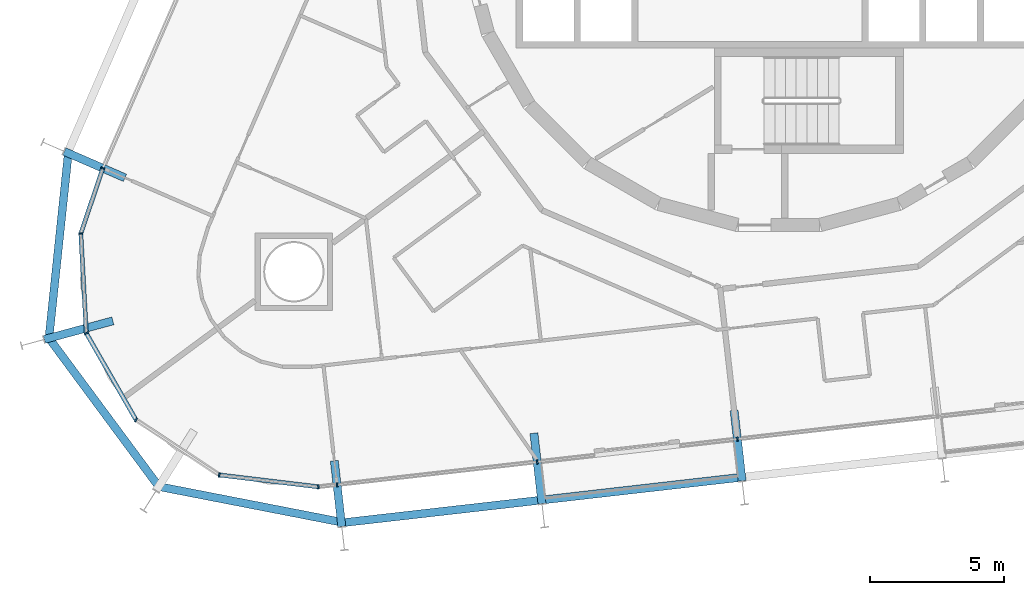
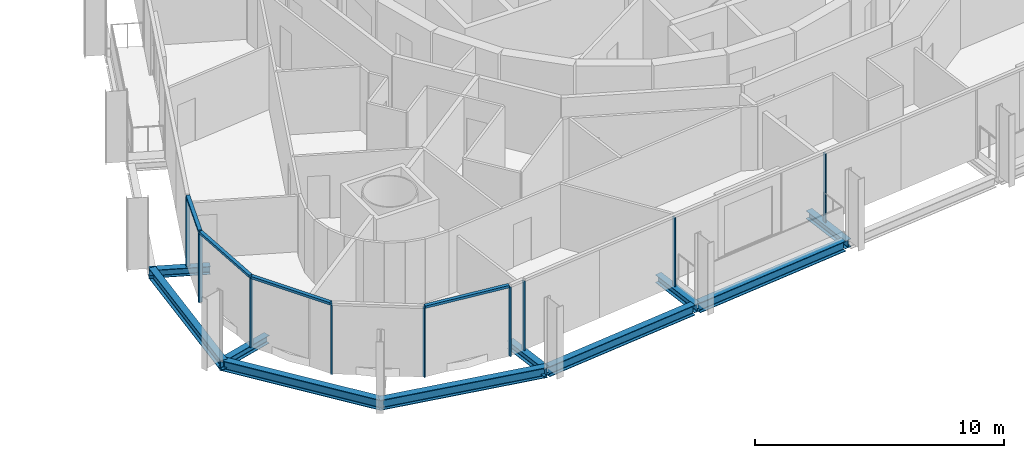
# One storey, part 3 of 21: 13 members, 10 beams, 2 elements without a shape of their own.
"""IFC4 building model written with IfcOpenShell, lengths in metres."""

from ifc_helpers import new_model, si_unit, direction, frame, origin, origin_2d, place, context, subcontext, project, spatial, rectangle, i_section, extrude, material, layer, layer_set, material_profile, profile_set, type_object, element, aggregate, save


model = new_model("IFC4")

# Units and contexts
model_context = context("Model", 3, precision=1e-05, world=origin(), true_north=direction((0.0, 1.0)))
body_context = subcontext(model_context, "Body", "Model", "MODEL_VIEW")
ifc_project = project(units=[si_unit("LENGTHUNIT", "METRE"), si_unit("AREAUNIT", "SQUARE_METRE"), si_unit("VOLUMEUNIT", "CUBIC_METRE"), si_unit("PLANEANGLEUNIT", "RADIAN"), si_unit("MASSUNIT", "GRAM", prefix="KILO")], contexts=[model_context])

# Site, building, storey
site_placement = place(None, origin())
site = spatial("IfcSite", under=ifc_project, at=site_placement, CompositionType="ELEMENT")
building_placement = place(site_placement, origin())
building = spatial("IfcBuilding", under=site, at=building_placement, Name="Spindle Arch Residences", CompositionType="ELEMENT")
storey_placement = place(building_placement, frame((0.0, 0.0, 97.699951171875)))
storey = spatial("IfcBuildingStorey", under=building, at=storey_placement, Name="L23", CompositionType="ELEMENT", Elevation=97.699951171875)

# Curtain wall, members
ifc_material_1 = material(Name="Aluminium bronze unitised frame with tinted glass", Category="aluminium")
ifc_layer_1 = layer(ifc_material_1, 0.159912109375)
ifc_layer_set_1 = layer_set([ifc_layer_1], Name="CW-D corner wall on the fillet arcs")
curtain_wall_type_1 = type_object("IfcCurtainWallType", Name="CW-D corner wall on the fillet arcs", PredefinedType="NOTDEFINED", material=ifc_layer_set_1)
curtain_wall_1_placement = place(storey_placement, origin())
curtain_wall_1 = element("IfcCurtainWall", 1, at=curtain_wall_1_placement, inside=storey, type_object=curtain_wall_type_1, Name="CW-D L23 run 5", PredefinedType="NOTDEFINED")
ifc_material_2 = material(Name="Aluminium bronze anodised mullion", Category="aluminium")
ifc_material_profile_1 = material_profile(ifc_material_2, rectangle(XDim=0.159912109375, YDim=0.06005859375, at=origin_2d()), Name="MU 60x160")
ifc_profile_set_1 = profile_set([ifc_material_profile_1], Name="Aluminium bronze anodised mullion")
member_type_1 = type_object("IfcMemberType", Name="Bronze mullion 60x160", PredefinedType="MULLION", material=ifc_profile_set_1)
member_1_placement = place(storey_placement, frame((-25.22900390625, -9.527099609375, -0.3798828125), z_axis=(0.0, 0.0, 1.0), x_axis=(0.947509671237, -0.319727106941, 0.0)))
member_1 = element("IfcMember", 2, at=member_1_placement, type_object=member_type_1, Name="CW-D mullion 00", PredefinedType="MULLION", context=body_context, shape_type="SweptSolid", body=[
    extrude(rectangle(XDim=0.159912109375, YDim=0.06005859375, at=origin_2d()), origin(), (0.0, 0.0, 1.0), 3.3798828125),
])
member_2_placement = place(storey_placement, frame((-26.052001953125, -11.96630859375, -0.3798828125), z_axis=(0.0, 0.0, 1.0), x_axis=(0.998473071057, 0.055240622495, 0.0)))
member_2 = element("IfcMember", 3, at=member_2_placement, type_object=member_type_1, Name="CW-D mullion 01", PredefinedType="MULLION", context=body_context, shape_type="SweptSolid", body=[
    extrude(rectangle(XDim=0.159912109375, YDim=0.06005859375, at=origin_2d()), origin(), (0.0, 0.0, 1.0), 3.3798828125),
])
member_3_placement = place(storey_placement, frame((-25.84619140625, -15.687255859375, -0.3798828125), z_axis=(0.0, 0.0, 1.0), x_axis=(0.867476179247, 0.497478721595, 0.0)))
member_3 = element("IfcMember", 4, at=member_3_placement, type_object=member_type_1, Name="CW-D mullion 02", PredefinedType="MULLION", context=body_context, shape_type="SweptSolid", body=[
    extrude(rectangle(XDim=0.159912109375, YDim=0.06005859375, at=origin_2d()), origin(), (0.0, 0.0, 1.0), 3.3798828125),
])
member_4_placement = place(storey_placement, frame((-23.9921875, -18.920166015625, -0.3798828125), z_axis=(0.0, 0.0, 1.0), x_axis=(0.551936987903, 0.833885820352, 0.0)))
member_4 = element("IfcMember", 5, at=member_4_placement, type_object=member_type_1, Name="CW-D mullion 03", PredefinedType="MULLION", context=body_context, shape_type="SweptSolid", body=[
    extrude(rectangle(XDim=0.159912109375, YDim=0.06005859375, at=origin_2d()), origin(), (0.0, 0.0, 1.0), 3.3798828125),
])
member_5_placement = place(storey_placement, frame((-20.884521484375, -20.97705078125, -0.3798828125), z_axis=(0.0, 0.0, 1.0), x_axis=(0.118981636756, 0.992896454881, 0.0)))
member_5 = element("IfcMember", 6, at=member_5_placement, type_object=member_type_1, Name="CW-D mullion 04", PredefinedType="MULLION", context=body_context, shape_type="SweptSolid", body=[
    extrude(rectangle(XDim=0.159912109375, YDim=0.06005859375, at=origin_2d()), origin(), (0.0, 0.0, 1.0), 3.3798828125),
])
member_6_placement = place(storey_placement, frame((-17.18408203125, -21.42041015625, -0.3798828125), z_axis=(0.0, 0.0, 1.0), x_axis=(-0.113203213768, 0.993571855677, 0.0)))
member_6 = element("IfcMember", 7, at=member_6_placement, type_object=member_type_1, Name="CW-D mullion 05", PredefinedType="MULLION", context=body_context, shape_type="SweptSolid", body=[
    extrude(rectangle(XDim=0.159912109375, YDim=0.06005859375, at=origin_2d()), origin(), (0.0, 0.0, 1.0), 3.3798828125),
])

ifc_material_3 = material(Name="Aluminium bronze unitised frame with tinted glass", Category="aluminium")
ifc_layer_2 = layer(ifc_material_3, 0.159912109375)
ifc_layer_set_2 = layer_set([ifc_layer_2], Name="CW-C typical residential unitised wall")
curtain_wall_type_2 = type_object("IfcCurtainWallType", Name="CW-C typical residential unitised wall", PredefinedType="NOTDEFINED", material=ifc_layer_set_2)
curtain_wall_2_placement = place(storey_placement, origin())
curtain_wall_2 = element("IfcCurtainWall", 8, at=curtain_wall_2_placement, inside=storey, type_object=curtain_wall_type_2, Name="CW-C L23 run 6", PredefinedType="NOTDEFINED")
member_7_placement = place(storey_placement, frame((-16.487060546875, -21.341064453125, -0.3798828125), z_axis=(0.0, 0.0, 1.0), x_axis=(-0.113203213768, 0.993571855677, 0.0)))
member_7 = element("IfcMember", 9, at=member_7_placement, type_object=member_type_1, Name="CW-C mullion 21", PredefinedType="MULLION", context=body_context, shape_type="SweptSolid", body=[
    extrude(rectangle(XDim=0.159912109375, YDim=0.06005859375, at=origin_2d()), origin(), (0.0, 0.0, 1.0), 3.3798828125),
])
member_8_placement = place(storey_placement, frame((-9.0166015625, -20.489990234375, -0.3798828125), z_axis=(0.0, 0.0, 1.0), x_axis=(-0.113203213768, 0.993571855677, 0.0)))
member_8 = element("IfcMember", 10, at=member_8_placement, type_object=member_type_1, Name="CW-C mullion 22", PredefinedType="MULLION", context=body_context, shape_type="SweptSolid", body=[
    extrude(rectangle(XDim=0.159912109375, YDim=0.06005859375, at=origin_2d()), origin(), (0.0, 0.0, 1.0), 3.3798828125),
])
member_9_placement = place(storey_placement, frame((-1.546142578125, -19.638671875, -0.3798828125), z_axis=(0.0, 0.0, 1.0), x_axis=(-0.113203213768, 0.993571855677, 0.0)))
member_9 = element("IfcMember", 11, at=member_9_placement, type_object=member_type_1, Name="CW-C mullion 23", PredefinedType="MULLION", context=body_context, shape_type="SweptSolid", body=[
    extrude(rectangle(XDim=0.159912109375, YDim=0.06005859375, at=origin_2d()), origin(), (0.0, 0.0, 1.0), 3.3798828125),
])
aggregate(curtain_wall_2, [member_7, member_8, member_9])

# Member
ifc_material_4 = material(Name="Aluminium bronze anodised transom", Category="aluminium")
ifc_material_profile_2 = material_profile(ifc_material_4, rectangle(XDim=0.159912109375, YDim=0.1201171875, at=origin_2d()), Name="TR 120x160")
ifc_profile_set_2 = profile_set([ifc_material_profile_2], Name="Aluminium bronze anodised transom")
member_type_2 = type_object("IfcMemberType", Name="Bronze transom 120x160", PredefinedType="USERDEFINED", material=ifc_profile_set_2)
member_10_placement = place(storey_placement, frame((-25.238525390625, -9.5556640625, 3.06005859375), z_axis=(-0.319779733892, -0.947491911201, 0.0), x_axis=(0.947491911201, -0.319779733892, 0.0)))
member_10 = element("IfcMember", 12, at=member_10_placement, type_object=member_type_2, Name="CW-D transom 00", ObjectType="TRANSOM", PredefinedType="USERDEFINED", context=body_context, shape_type="SweptSolid", body=[
    extrude(rectangle(XDim=0.159912109375, YDim=0.1201171875, at=origin_2d()), origin(), (0.0, 0.0, 1.0), 2.51416015625),
])

member_11_placement = place(storey_placement, frame((-26.05029296875, -11.99609375, 3.06005859375), z_axis=(0.055197130558, -0.998475476303, 0.0), x_axis=(0.998475476303, 0.055197130558, 0.0)))
member_11 = element("IfcMember", 13, at=member_11_placement, type_object=member_type_2, Name="CW-D transom 01", ObjectType="TRANSOM", PredefinedType="USERDEFINED", context=body_context, shape_type="SweptSolid", body=[
    extrude(rectangle(XDim=0.159912109375, YDim=0.1201171875, at=origin_2d()), origin(), (0.0, 0.0, 1.0), 3.666748046875),
])

member_12_placement = place(storey_placement, frame((-25.831298828125, -15.71337890625, 3.06005859375), z_axis=(0.497515065253, -0.867455335937, 0.0), x_axis=(0.867455335937, 0.497515065253, 0.0)))
member_12 = element("IfcMember", 14, at=member_12_placement, type_object=member_type_2, Name="CW-D transom 02", ObjectType="TRANSOM", PredefinedType="USERDEFINED", context=body_context, shape_type="SweptSolid", body=[
    extrude(rectangle(XDim=0.159912109375, YDim=0.1201171875, at=origin_2d()), origin(), (0.0, 0.0, 1.0), 3.666748046875),
])

member_13_placement = place(storey_placement, frame((-20.854736328125, -20.980712890625, 3.06005859375), z_axis=(0.992896987084, -0.118977195462, 0.0), x_axis=(0.118977195462, 0.992896987084, 0.0)))
member_13 = element("IfcMember", 15, at=member_13_placement, type_object=member_type_2, Name="CW-D transom 04", ObjectType="TRANSOM", PredefinedType="USERDEFINED", context=body_context, shape_type="SweptSolid", body=[
    extrude(rectangle(XDim=0.159912109375, YDim=0.1201171875, at=origin_2d()), origin(), (0.0, 0.0, 1.0), 3.6669921875),
])

aggregate(curtain_wall_1, [member_1, member_10, member_2, member_11, member_3, member_12, member_4, member_5, member_13, member_6])

# Beams
ifc_material_5 = material(Name="Steel S460ML, intumescent coating R 120", Category="steel")
ifc_material_profile_3 = material_profile(ifc_material_5, i_section(OverallWidth=0.300048828125, OverallDepth=0.5, WebThickness=0.014404296875, FlangeThickness=0.028076171875, FilletRadius=0.027099609375, at=origin_2d()), Name="HEB 500")
ifc_profile_set_3 = profile_set([ifc_material_profile_3], Name="Steel S460ML, intumescent coating R 120")
beam_type_1 = type_object("IfcBeamType", Name="Exoskeleton edge beam HEB 500", PredefinedType="BEAM", material=ifc_profile_set_3)
beam_1_placement = place(storey_placement, frame((-26.509521484375, -8.8935546875, -0.6298828125), z_axis=(-0.104068514681, -0.994570130384, 0.0), x_axis=(0.994570130384, -0.104068514681, 0.0)))
element("IfcBeam", 16, at=beam_1_placement, inside=storey, type_object=beam_type_1, Name="Exoskeleton edge beam 19", PredefinedType="BEAM", context=body_context, shape_type="SweptSolid", body=[
    extrude(i_section(OverallWidth=0.300048828125, OverallDepth=0.5, WebThickness=0.014404296875, FlangeThickness=0.028076171875, FilletRadius=0.027099609375, at=origin_2d()), origin(), (0.0, 0.0, 1.0), 7.09423828125),
])
beam_2_placement = place(storey_placement, frame((-27.297607421875, -15.791259765625, -0.6298828125), z_axis=(0.594811393653, -0.803865290942, 0.0), x_axis=(0.803865290942, 0.594811393653, 0.0)))
element("IfcBeam", 17, at=beam_2_placement, inside=storey, type_object=beam_type_1, Name="Exoskeleton edge beam 20", PredefinedType="BEAM", context=body_context, shape_type="SweptSolid", body=[
    extrude(i_section(OverallWidth=0.300048828125, OverallDepth=0.5, WebThickness=0.014404296875, FlangeThickness=0.028076171875, FilletRadius=0.027099609375, at=origin_2d()), origin(), (0.0, 0.0, 1.0), 7.08642578125),
])
beam_3_placement = place(storey_placement, frame((-23.218994140625, -21.39404296875, -0.6298828125), z_axis=(0.981537577594, -0.191269401033, 0.0), x_axis=(0.191269401033, 0.981537577594, 0.0)))
element("IfcBeam", 18, at=beam_3_placement, inside=storey, type_object=beam_type_1, Name="Exoskeleton edge beam 21", PredefinedType="BEAM", context=body_context, shape_type="SweptSolid", body=[
    extrude(i_section(OverallWidth=0.300048828125, OverallDepth=0.5, WebThickness=0.014404296875, FlangeThickness=0.028076171875, FilletRadius=0.027099609375, at=origin_2d()), origin(), (0.0, 0.0, 1.0), 7.09423828125),
])
for number, where, z_axis, x_axis, name in (
    (19, (-16.19580078125, -22.750244140625, -0.6298828125), (0.993570992395, 0.11321079044, 0.0), (-0.11321079044, 0.993570992395, 0.0), "Exoskeleton edge beam 22"),
    (20, (-8.725341796875, -21.899169921875, -0.6298828125), (0.993570992395, 0.11321079044, 0.0), (-0.11321079044, 0.993570992395, 0.0), "Exoskeleton edge beam 23"),
):
    element("IfcBeam", number, at=place(storey_placement, frame(where, z_axis=z_axis, x_axis=x_axis)), inside=storey, type_object=beam_type_1, Name=name, PredefinedType="BEAM", context=body_context, shape_type="SweptSolid", body=[
        extrude(i_section(OverallWidth=0.300048828125, OverallDepth=0.5, WebThickness=0.014404296875, FlangeThickness=0.028076171875, FilletRadius=0.027099609375, at=origin_2d()), origin(), (0.0, 0.0, 1.0), 7.2587890625),
    ])
ifc_material_6 = material(Name="Steel S460ML, intumescent coating R 120", Category="steel")
ifc_material_profile_4 = material_profile(ifc_material_6, i_section(OverallWidth=0.300048828125, OverallDepth=0.389892578125, WebThickness=0.010986328125, FlangeThickness=0.01904296875, FilletRadius=0.027099609375, at=origin_2d()), Name="HEA 400")
ifc_profile_set_4 = profile_set([ifc_material_profile_4], Name="Steel S460ML, intumescent coating R 120")
beam_type_2 = type_object("IfcBeamType", Name="Floor outrigger HEA 400", PredefinedType="BEAM", material=ifc_profile_set_4)
beam_4_placement = place(storey_placement, frame((-26.668701171875, -8.901123046875, -0.574951171875), z_axis=(0.917057489876, -0.398755012836, 0.0), x_axis=(0.398755012836, 0.917057489876, 0.0)))
element("IfcBeam", 21, at=beam_4_placement, inside=storey, type_object=beam_type_2, Name="Floor outrigger 19", PredefinedType="BEAM", context=body_context, shape_type="SweptSolid", body=[
    extrude(i_section(OverallWidth=0.300048828125, OverallDepth=0.389892578125, WebThickness=0.010986328125, FlangeThickness=0.01904296875, FilletRadius=0.027099609375, at=origin_2d()), origin(), (0.0, 0.0, 1.0), 2.47119140625),
])
beam_5_placement = place(storey_placement, frame((-27.41259765625, -15.918212890625, -0.574951171875), z_axis=(0.965139144412, 0.261737333837, 0.0), x_axis=(-0.261737333837, 0.965139144412, 0.0)))
element("IfcBeam", 22, at=beam_5_placement, inside=storey, type_object=beam_type_2, Name="Floor outrigger 20", PredefinedType="BEAM", context=body_context, shape_type="SweptSolid", body=[
    extrude(i_section(OverallWidth=0.300048828125, OverallDepth=0.389892578125, WebThickness=0.010986328125, FlangeThickness=0.01904296875, FilletRadius=0.027099609375, at=origin_2d()), origin(), (0.0, 0.0, 1.0), 2.64990234375),
])
beam_6_placement = place(storey_placement, frame((-16.309326171875, -22.90087890625, -0.574951171875), z_axis=(-0.113228917078, 0.993568926818, 0.0), x_axis=(-0.993568926818, -0.113228917078, 0.0)))
element("IfcBeam", 23, at=beam_6_placement, inside=storey, type_object=beam_type_2, Name="Floor outrigger 22", PredefinedType="BEAM", context=body_context, shape_type="SweptSolid", body=[
    extrude(i_section(OverallWidth=0.300048828125, OverallDepth=0.389892578125, WebThickness=0.010986328125, FlangeThickness=0.01904296875, FilletRadius=0.027099609375, at=origin_2d()), origin(), (0.0, 0.0, 1.0), 2.470947265625),
])
beam_7_placement = place(storey_placement, frame((-8.8388671875, -22.0498046875, -0.574951171875), z_axis=(-0.113232173128, 0.993568555747, 0.0), x_axis=(-0.993568555747, -0.113232173128, 0.0)))
element("IfcBeam", 24, at=beam_7_placement, inside=storey, type_object=beam_type_2, Name="Floor outrigger 23", PredefinedType="BEAM", context=body_context, shape_type="SweptSolid", body=[
    extrude(i_section(OverallWidth=0.300048828125, OverallDepth=0.389892578125, WebThickness=0.010986328125, FlangeThickness=0.01904296875, FilletRadius=0.027099609375, at=origin_2d()), origin(), (0.0, 0.0, 1.0), 2.64990234375),
])
beam_8_placement = place(storey_placement, frame((-1.368408203125, -21.19873046875, -0.574951171875), z_axis=(-0.113221808681, 0.993569736878, 0.0), x_axis=(-0.993569736878, -0.113221808681, 0.0)))
element("IfcBeam", 25, at=beam_8_placement, inside=storey, type_object=beam_type_2, Name="Floor outrigger 24", PredefinedType="BEAM", context=body_context, shape_type="SweptSolid", body=[
    extrude(i_section(OverallWidth=0.300048828125, OverallDepth=0.389892578125, WebThickness=0.010986328125, FlangeThickness=0.01904296875, FilletRadius=0.027099609375, at=origin_2d()), origin(), (0.0, 0.0, 1.0), 2.650146484375),
])

save(model, "model.ifc")
